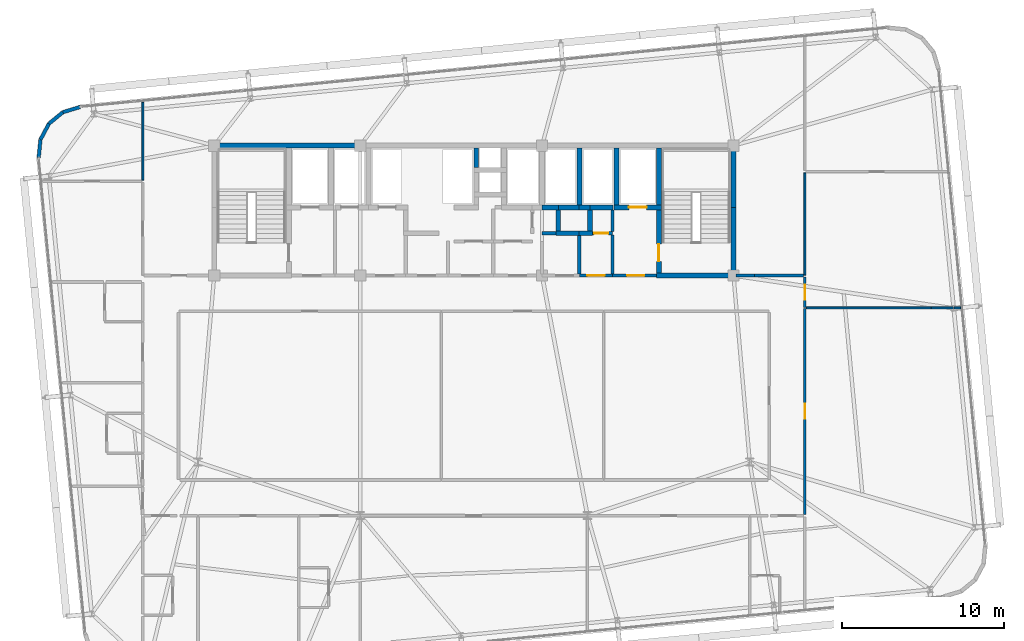
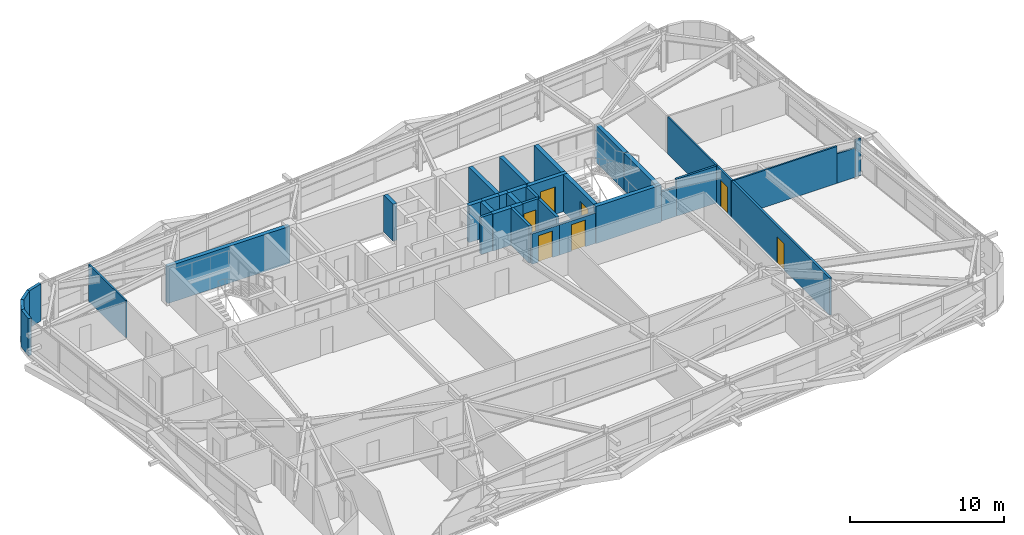
# One storey, part 49 of 53: 38 walls, 7 doors, 7 openings.
"""IFC4 building model written with IfcOpenShell, lengths in metres."""

from ifc_helpers import new_model, si_unit, direction, frame, frame_2d, origin, place, context, subcontext, project, spatial, rectangle, extrude, source, transform, mapped, material, layer, layer_set, type_object, element, fill, save


model = new_model("IFC4")

# Units and contexts
model_context = context("Model", 3, precision=1e-05, world=origin(), true_north=direction((0.0, 1.0)))
body_context = subcontext(model_context, "Body", "Model", "MODEL_VIEW")
ifc_project = project(units=[si_unit("LENGTHUNIT", "METRE"), si_unit("AREAUNIT", "SQUARE_METRE"), si_unit("VOLUMEUNIT", "CUBIC_METRE"), si_unit("PLANEANGLEUNIT", "RADIAN"), si_unit("MASSUNIT", "GRAM", prefix="KILO")], contexts=[model_context])

# Site, building, storey
site_placement = place(None, origin())
site = spatial("IfcSite", under=ifc_project, at=site_placement, CompositionType="ELEMENT")
building_placement = place(site_placement, origin())
building = spatial("IfcBuilding", under=site, at=building_placement, Name="Taldren Reach Tower", CompositionType="ELEMENT")
storey_placement = place(building_placement, frame((0.0, 0.0, 80.85009765625)))
storey = spatial("IfcBuildingStorey", under=building, at=storey_placement, Name="L24", CompositionType="ELEMENT", Elevation=80.85009765625)

# Walls
ifc_material_1 = material(Name="Pale Champagne Anodised Aluminium Cladding", Category="aluminium")
ifc_layer_1 = layer(ifc_material_1, 0.04, Name="Pale Champagne Anodised Aluminium Cladding", Category="aluminium")
ifc_material_2 = material(Name="Mineral Wool Acoustic Insulation", Category="insulation")
ifc_layer_2 = layer(ifc_material_2, 0.06, Name="Mineral Wool Acoustic Insulation", Category="insulation")
ifc_material_3 = material(Name="Steel Gr 350 (C350L0)", Category="steel")
ifc_layer_3 = layer(ifc_material_3, 0.12, Name="Steel Gr 350 (C350L0)", Category="steel")
ifc_layer_set_1 = layer_set([ifc_layer_1, ifc_layer_2, ifc_layer_3], Name="Pale Champagne Aluminium Cladding and Steel Gr 350 Stud Framing")
wall_type_1 = type_object("IfcWallType", Name="EW-CRN-220", PredefinedType="SOLIDWALL", material=ifc_layer_set_1)
shared_shape_1 = source(origin(), body_context, "Body", "SweptSolid", [
    extrude(rectangle(XDim=1.115966796875, YDim=0.219970703125, at=frame_2d((0.55810546875, 0.0))), origin(), (0.0, 0.0, 1.0), 2.929931640625),
])
wall_1_placement = place(storey_placement, frame((10.7509765625, 34.386474609375, 0.0), z_axis=(0.0, 0.0, 1.0), x_axis=(-0.957070388811, -0.289855603468, 0.0)))
element("IfcWall", 1, at=wall_1_placement, inside=storey, type_object=wall_type_1, Name="Rounded-corner pale-metal facade wall L24-NW1", PredefinedType="SOLIDWALL", context=body_context, shape_type="MappedRepresentation", body=[
    mapped(shared_shape_1, transform((0.0, 0.0, 0.0), scale=1.0)),
])
shared_shape_2 = source(origin(), body_context, "Body", "SweptSolid", [
    extrude(rectangle(XDim=1.11572265625, YDim=0.219970703125, at=frame_2d((0.557861328125, 0.0))), origin(), (0.0, 0.0, 1.0), 2.929931640625),
])
for number, where, z_axis, x_axis, name in (
    (2, (9.682861328125, 34.06298828125, 0.0), (0.0, 0.0, 1.0), (-0.773254916409, -0.634095287989, 0.0), "Rounded-corner pale-metal facade wall L24-NW2"),
    (3, (8.29345703125, 32.371337890625, 0.0), (0.0, 0.0, 1.0), (-0.098463783145, -0.99514063499, 0.0), "Rounded-corner pale-metal facade wall L24-NW4"),
):
    element("IfcWall", number, at=place(storey_placement, frame(where, z_axis=z_axis, x_axis=x_axis)), inside=storey, type_object=wall_type_1, Name=name, PredefinedType="SOLIDWALL", context=body_context, shape_type="MappedRepresentation", body=[
        mapped(shared_shape_2, transform((0.0, 0.0, 0.0), scale=1.0)),
    ])
shared_shape_3 = source(origin(), body_context, "Body", "SweptSolid", [
    extrude(rectangle(XDim=1.1162109375, YDim=0.219970703125, at=frame_2d((0.55810546875, 0.0))), origin(), (0.0, 0.0, 1.0), 2.929931640625),
])
wall_2_placement = place(storey_placement, frame((8.820068359375, 33.35546875, 0.0), z_axis=(0.0, 0.0, 1.0), x_axis=(-0.471802540493, -0.881704237704, 0.0)))
element("IfcWall", 4, at=wall_2_placement, inside=storey, type_object=wall_type_1, Name="Rounded-corner pale-metal facade wall L24-NW3", PredefinedType="SOLIDWALL", context=body_context, shape_type="MappedRepresentation", body=[
    mapped(shared_shape_3, transform((0.0, 0.0, 0.0), scale=1.0)),
])

# Wall, opening, door
ifc_material_4 = material(Name="Fire-Rated Acoustic Plasterboard Stud Wall", Category="gypsum")
ifc_layer_4 = layer(ifc_material_4, 0.159912109375)
ifc_layer_set_2 = layer_set([ifc_layer_4], Name="Fire-Rated Acoustic Plasterboard Stud Wall")
wall_type_2 = type_object("IfcWallType", Name="IW-FIRE-160", PredefinedType="PARTITIONING", material=ifc_layer_set_2)
shared_shape_4 = source(origin(), body_context, "Body", "SweptSolid", [
    extrude(rectangle(XDim=1.899658203125, YDim=0.159912109375, at=frame_2d((0.94970703125, 0.0))), origin(), (0.0, 0.0, 1.0), 2.929931640625),
])
wall_3_placement = place(storey_placement, frame((55.39990234375, 23.919921875, 0.0), z_axis=(0.0, 0.0, 1.0), x_axis=(0.0, -1.0, 0.0)))
wall_3 = element("IfcWall", 5, at=wall_3_placement, inside=storey, type_object=wall_type_2, Name="Interior Partition Wall W-INT-L24-074", PredefinedType="PARTITIONING", context=body_context, shape_type="MappedRepresentation", body=[
    mapped(shared_shape_4, transform((0.0, 0.0, 0.0), scale=1.0)),
])
shared_shape_5 = source(origin(), body_context, "Body", "SweptSolid", [
    extrude(rectangle(XDim=0.919921875, YDim=2.10009765625, at=frame_2d((0.4599609375, 1.050048828125))), frame((0.0, 0.08984375, 0.0), z_axis=(0.0, -1.0, 0.0), x_axis=(1.0, 0.0, 0.0)), (0.0, 0.0, 1.0), 0.179931640625),
])
opening_1_placement = place(wall_3_placement, frame((0.489990234375, 0.0, 0.0)))
opening_1 = element("IfcOpeningElement", 6, at=opening_1_placement, cuts=wall_3, Name="Opening DI-092", PredefinedType="OPENING", context=body_context, shape_type="MappedRepresentation", body=[
    mapped(shared_shape_5, transform((0.0, 0.0, 0.0), scale=1.0)),
])
ifc_material_5 = material(Name="Solid-Core Timber Suite Door", Category="wood")
door_type_1 = type_object("IfcDoorType", Name="ID-INT-092", OperationType="NOTDEFINED", PredefinedType="DOOR", material=ifc_material_5)
shared_shape_6 = source(origin(), body_context, "Body", "SweptSolid", [
    extrude(rectangle(XDim=0.919921875, YDim=2.10009765625, at=frame_2d((0.4599609375, 1.050048828125))), frame((0.0, 0.02490234375, 0.0), z_axis=(0.0, -1.0, 0.0), x_axis=(1.0, 0.0, 0.0)), (0.0, 0.0, 1.0), 0.050048828125),
])
door_1_placement = place(opening_1_placement, origin())
door_1 = element("IfcDoor", 7, at=door_1_placement, inside=storey, type_object=door_type_1, Name="Interior Door DR-L24-023", OperationType="SINGLE_SWING_RIGHT", OverallHeight=2.10009765625, OverallWidth=0.919921875, PredefinedType="DOOR", context=body_context, shape_type="MappedRepresentation", body=[
    mapped(shared_shape_6, transform((0.0, 0.0, 0.0), scale=1.0)),
])
fill(opening_1, door_1)

# Wall
ifc_material_6 = material(Name="Concrete S50 (50 MPa)", Category="concrete")
ifc_layer_5 = layer(ifc_material_6, 0.199951171875)
ifc_layer_set_3 = layer_set([ifc_layer_5], Name="Concrete S50 (50 MPa)")
wall_type_3 = type_object("IfcWallType", Name="IW-CORE-200", PredefinedType="SOLIDWALL", material=ifc_layer_set_3)
shared_shape_7 = source(origin(), body_context, "Body", "SweptSolid", [
    extrude(rectangle(XDim=2.39990234375, YDim=0.199951171875, at=frame_2d((1.199951171875, 0.0))), origin(), (0.0, 0.0, 1.0), 2.929931640625),
])
wall_4_placement = place(storey_placement, frame((43.550048828125, 26.5, 0.0), z_axis=(0.0, 0.0, 1.0), x_axis=(0.0, -1.0, 0.0)))
element("IfcWall", 8, at=wall_4_placement, inside=storey, type_object=wall_type_3, Name="Rear Core Shear Wall W-INT-L24-013", PredefinedType="SOLIDWALL", context=body_context, shape_type="MappedRepresentation", body=[
    mapped(shared_shape_7, transform((0.0, 0.0, 0.0), scale=1.0)),
])

# Wall, opening, door
shared_shape_8 = source(origin(), body_context, "Body", "SweptSolid", [
    extrude(rectangle(XDim=1.25, YDim=0.199951171875, at=frame_2d((0.625, 0.0))), origin(), (0.0, 0.0, 1.0), 2.929931640625),
])
wall_5_placement = place(storey_placement, frame((42.300048828125, 26.60009765625, 0.0), z_axis=(0.0, 0.0, 1.0), x_axis=(1.0, 0.0, 0.0)))
wall_5 = element("IfcWall", 9, at=wall_5_placement, inside=storey, type_object=wall_type_3, Name="Rear Core Shear Wall W-INT-L24-058", PredefinedType="SOLIDWALL", context=body_context, shape_type="MappedRepresentation", body=[
    mapped(shared_shape_8, transform((0.0, 0.0, 0.0), scale=1.0)),
])
shared_shape_9 = source(origin(), body_context, "Body", "SweptSolid", [
    extrude(rectangle(XDim=0.8798828125, YDim=2.10009765625, at=frame_2d((0.43994140625, 1.050048828125))), frame((0.0, 0.10986328125, 0.0), z_axis=(0.0, -1.0, 0.0), x_axis=(1.0, 0.0, 0.0)), (0.0, 0.0, 1.0), 0.219970703125),
])
opening_2_placement = place(wall_5_placement, frame((0.110107421875, 0.0, 0.0)))
opening_2 = element("IfcOpeningElement", 10, at=opening_2_placement, cuts=wall_5, Name="Opening DF-088", PredefinedType="OPENING", context=body_context, shape_type="MappedRepresentation", body=[
    mapped(shared_shape_9, transform((0.0, 0.0, 0.0), scale=1.0)),
])
ifc_material_7 = material(Name="Fire-Rated Service Closet Door")
door_type_2 = type_object("IfcDoorType", Name="ID-FIRE-088", OperationType="NOTDEFINED", PredefinedType="DOOR", material=ifc_material_7)
shared_shape_10 = source(origin(), body_context, "Body", "SweptSolid", [
    extrude(rectangle(XDim=0.8798828125, YDim=2.10009765625, at=frame_2d((0.43994140625, 1.050048828125))), frame((0.0, 0.02490234375, 0.0), z_axis=(0.0, -1.0, 0.0), x_axis=(1.0, 0.0, 0.0)), (0.0, 0.0, 1.0), 0.050048828125),
])
door_2_placement = place(opening_2_placement, origin())
door_2 = element("IfcDoor", 11, at=door_2_placement, inside=storey, type_object=door_type_2, Name="Interior Door DR-L24-012", OperationType="SINGLE_SWING_LEFT", OverallHeight=2.10009765625, OverallWidth=0.8798828125, PredefinedType="DOOR", context=body_context, shape_type="MappedRepresentation", body=[
    mapped(shared_shape_10, transform((0.0, 0.0, 0.0), scale=1.0)),
])
fill(opening_2, door_2)

shared_shape_11 = source(origin(), body_context, "Body", "SweptSolid", [
    extrude(rectangle(XDim=2.050048828125, YDim=0.199951171875, at=frame_2d((1.02490234375, 0.0))), origin(), (0.0, 0.0, 1.0), 2.39697265625),
])
wall_6_placement = place(storey_placement, frame((43.550048828125, 24.0, 0.0), z_axis=(0.0, 0.0, 1.0), x_axis=(-1.0, 0.0, 0.0)))
wall_6 = element("IfcWall", 12, at=wall_6_placement, inside=storey, type_object=wall_type_3, Name="Rear Core Shear Wall W-INT-L24-059", PredefinedType="SOLIDWALL", context=body_context, shape_type="MappedRepresentation", body=[
    mapped(shared_shape_11, transform((0.0, 0.0, 0.0), scale=1.0)),
])
shared_shape_12 = source(origin(), body_context, "Body", "SweptSolid", [
    extrude(rectangle(XDim=1.050048828125, YDim=2.10009765625, at=frame_2d((0.52490234375, 1.050048828125))), frame((0.0, 0.10986328125, 0.0), z_axis=(0.0, -1.0, 0.0), x_axis=(1.0, 0.0, 0.0)), (0.0, 0.0, 1.0), 0.219970703125),
])
opening_3_placement = place(wall_6_placement, frame((0.5, 0.0, 0.0)))
opening_3 = element("IfcOpeningElement", 13, at=opening_3_placement, cuts=wall_6, Name="Opening DF-105", PredefinedType="OPENING", context=body_context, shape_type="MappedRepresentation", body=[
    mapped(shared_shape_12, transform((0.0, 0.0, 0.0), scale=1.0)),
])
ifc_material_8 = material(Name="Fire-Rated Care and Stair Exit Door")
door_type_3 = type_object("IfcDoorType", Name="ID-FIRE-105", OperationType="NOTDEFINED", PredefinedType="DOOR", material=ifc_material_8)
shared_shape_13 = source(origin(), body_context, "Body", "SweptSolid", [
    extrude(rectangle(XDim=1.050048828125, YDim=2.10009765625, at=frame_2d((0.52490234375, 1.050048828125))), frame((0.0, 0.02490234375, 0.0), z_axis=(0.0, -1.0, 0.0), x_axis=(1.0, 0.0, 0.0)), (0.0, 0.0, 1.0), 0.050048828125),
])
door_3_placement = place(opening_3_placement, frame((1.050048828125, 0.0, 0.0), z_axis=(0.0, 0.0, 1.0), x_axis=(-1.0, 0.0, 0.0)))
door_3 = element("IfcDoor", 14, at=door_3_placement, inside=storey, type_object=door_type_3, Name="Interior Door DR-L24-013", OperationType="SINGLE_SWING_LEFT", OverallHeight=2.10009765625, OverallWidth=1.050048828125, PredefinedType="DOOR", context=body_context, shape_type="MappedRepresentation", body=[
    mapped(shared_shape_13, transform((0.0, 0.0, 0.0), scale=1.0)),
])
fill(opening_3, door_3)

# Walls
ifc_material_9 = material(Name="Concrete S65 (65 MPa)", Category="concrete")
ifc_layer_6 = layer(ifc_material_9, 0.300048828125)
ifc_layer_set_4 = layer_set([ifc_layer_6], Name="Concrete S65 (65 MPa)")
wall_type_4 = type_object("IfcWallType", Name="IW-CORE-300", PredefinedType="SHEAR", material=ifc_layer_set_4)
shared_shape_14 = source(origin(), body_context, "Body", "SweptSolid", [
    extrude(rectangle(XDim=9.14990234375, YDim=0.300048828125, at=frame_2d((4.574951171875, 0.0))), origin(), (0.0, 0.0, 1.0), 2.929931640625),
])
wall_7_placement = place(storey_placement, frame((18.85009765625, 32.0, 0.0), z_axis=(0.0, 0.0, 1.0), x_axis=(1.0, 0.0, 0.0)))
element("IfcWall", 15, at=wall_7_placement, inside=storey, type_object=wall_type_4, Name="Rear Core Shear Wall W-CORE-L24-NORTH1", PredefinedType="SHEAR", context=body_context, shape_type="MappedRepresentation", body=[
    mapped(shared_shape_14, transform((0.0, 0.0, 0.0), scale=1.0)),
])
shared_shape_15 = source(origin(), body_context, "Body", "SweptSolid", [
    extrude(rectangle(XDim=4.050048828125, YDim=0.300048828125, at=frame_2d((2.02490234375, 0.0))), origin(), (0.0, 0.0, 1.0), 2.929931640625),
])
wall_8_placement = place(storey_placement, frame((51.0, 24.14990234375, 0.0), z_axis=(0.0, 0.0, 1.0), x_axis=(0.0, 1.0, 0.0)))
element("IfcWall", 16, at=wall_8_placement, inside=storey, type_object=wall_type_4, Name="Rear Core Shear Wall W-CORE-L24-EAST1", PredefinedType="SHEAR", context=body_context, shape_type="MappedRepresentation", body=[
    mapped(shared_shape_15, transform((0.0, 0.0, 0.0), scale=1.0)),
])
shared_shape_16 = source(origin(), body_context, "Body", "SweptSolid", [
    extrude(rectangle(XDim=3.650146484375, YDim=0.300048828125, at=frame_2d((1.8251953125, 0.0))), origin(), (0.0, 0.0, 1.0), 2.929931640625),
])
wall_9_placement = place(storey_placement, frame((51.0, 28.199951171875, 0.0), z_axis=(0.0, 0.0, 1.0), x_axis=(0.0, 1.0, 0.0)))
element("IfcWall", 17, at=wall_9_placement, inside=storey, type_object=wall_type_4, Name="Rear Core Shear Wall W-CORE-L24-EAST2", PredefinedType="SHEAR", context=body_context, shape_type="MappedRepresentation", body=[
    mapped(shared_shape_16, transform((0.0, 0.0, 0.0), scale=1.0)),
])
shared_shape_17 = source(origin(), body_context, "Body", "SweptSolid", [
    extrude(rectangle(XDim=3.5, YDim=0.300048828125, at=frame_2d((1.75, 0.0))), origin(), (0.0, 0.0, 1.0), 2.929931640625),
])
for number, where, z_axis, x_axis, name in (
    (18, (46.39990234375, 31.85009765625, 0.0), (0.0, 0.0, 1.0), (0.0, -1.0, 0.0), "Rear Core Shear Wall W-INT-L24-008"),
    (19, (43.800048828125, 31.85009765625, 0.0), (0.0, 0.0, 1.0), (0.0, -1.0, 0.0), "Rear Core Shear Wall W-INT-L24-012"),
    (20, (41.5, 28.35009765625, 0.0), (0.0, 0.0, 1.0), (0.0, 1.0, 0.0), "Rear Core Shear Wall W-INT-L24-041"),
):
    element("IfcWall", number, at=place(storey_placement, frame(where, z_axis=z_axis, x_axis=x_axis)), inside=storey, type_object=wall_type_4, Name=name, PredefinedType="SHEAR", context=body_context, shape_type="MappedRepresentation", body=[
        mapped(shared_shape_17, transform((0.0, 0.0, 0.0), scale=1.0)),
    ])

# Wall, opening, door
shared_shape_18 = source(origin(), body_context, "Body", "SweptSolid", [
    extrude(rectangle(XDim=3.900146484375, YDim=0.300048828125, at=frame_2d((1.9501953125, 0.0))), origin(), (0.0, 0.0, 1.0), 2.929931640625),
])
wall_10_placement = place(storey_placement, frame((46.39990234375, 28.050048828125, 0.0), z_axis=(0.0, 0.0, 1.0), x_axis=(0.0, -1.0, 0.0)))
wall_10 = element("IfcWall", 21, at=wall_10_placement, inside=storey, type_object=wall_type_4, Name="Rear Core Shear Wall W-INT-L24-009", PredefinedType="SHEAR", context=body_context, shape_type="MappedRepresentation", body=[
    mapped(shared_shape_18, transform((0.0, 0.0, 0.0), scale=1.0)),
])
shared_shape_19 = source(origin(), body_context, "Body", "SweptSolid", [
    extrude(rectangle(XDim=1.050048828125, YDim=2.10009765625, at=frame_2d((0.52490234375, 1.050048828125))), frame((0.0, 0.16015625, 0.0), z_axis=(0.0, -1.0, 0.0), x_axis=(1.0, 0.0, 0.0)), (0.0, 0.0, 1.0), 0.320068359375),
])
opening_4_placement = place(wall_10_placement, frame((2.125, 0.0, 0.0)))
opening_4 = element("IfcOpeningElement", 22, at=opening_4_placement, cuts=wall_10, Name="Opening DF-105", PredefinedType="OPENING", context=body_context, shape_type="MappedRepresentation", body=[
    mapped(shared_shape_19, transform((0.0, 0.0, 0.0), scale=1.0)),
])
door_4_placement = place(opening_4_placement, origin())
door_4 = element("IfcDoor", 23, at=door_4_placement, inside=storey, type_object=door_type_3, Name="Fire Exit Stair Door DR-L24-003", OperationType="SINGLE_SWING_RIGHT", OverallHeight=2.10009765625, OverallWidth=1.050048828125, PredefinedType="DOOR", context=body_context, shape_type="MappedRepresentation", body=[
    mapped(shared_shape_13, transform((0.0, 0.0, 0.0), scale=1.0)),
])
fill(opening_4, door_4)

# Wall
shared_shape_20 = source(origin(), body_context, "Body", "SweptSolid", [
    extrude(rectangle(XDim=4.89990234375, YDim=0.300048828125, at=frame_2d((2.449951171875, 0.0))), origin(), (0.0, 0.0, 1.0), 2.929931640625),
])
wall_11_placement = place(storey_placement, frame((46.25, 24.0, 0.0), z_axis=(0.0, 0.0, 1.0), x_axis=(1.0, 0.0, 0.0)))
element("IfcWall", 24, at=wall_11_placement, inside=storey, type_object=wall_type_4, Name="Rear Core Shear Wall W-INT-L24-010", PredefinedType="SHEAR", context=body_context, shape_type="MappedRepresentation", body=[
    mapped(shared_shape_20, transform((0.0, 0.0, 0.0), scale=1.0)),
])

# Wall, opening, door
shared_shape_21 = source(origin(), body_context, "Body", "SweptSolid", [
    extrude(rectangle(XDim=2.900146484375, YDim=0.300048828125, at=frame_2d((1.4501953125, 0.0))), origin(), (0.0, 0.0, 1.0), 2.929931640625),
])
wall_12_placement = place(storey_placement, frame((43.64990234375, 28.199951171875, 0.0), z_axis=(0.0, 0.0, 1.0), x_axis=(1.0, 0.0, 0.0)))
wall_12 = element("IfcWall", 25, at=wall_12_placement, inside=storey, type_object=wall_type_4, Name="Rear Core Shear Wall W-INT-L24-011", PredefinedType="SHEAR", context=body_context, shape_type="MappedRepresentation", body=[
    mapped(shared_shape_21, transform((0.0, 0.0, 0.0), scale=1.0)),
])
shared_shape_22 = source(origin(), body_context, "Body", "SweptSolid", [
    extrude(rectangle(XDim=1.10009765625, YDim=2.14990234375, at=frame_2d((0.550048828125, 1.074951171875))), frame((0.0, 0.16015625, 0.0), z_axis=(0.0, -1.0, 0.0), x_axis=(1.0, 0.0, 0.0)), (0.0, 0.0, 1.0), 0.320068359375),
])
opening_5_placement = place(wall_12_placement, frame((0.89990234375, 0.0, 0.0)))
opening_5 = element("IfcOpeningElement", 26, at=opening_5_placement, cuts=wall_12, Name="Opening LD-FL2", PredefinedType="OPENING", context=body_context, shape_type="MappedRepresentation", body=[
    mapped(shared_shape_22, transform((0.0, 0.0, 0.0), scale=1.0)),
])
ifc_material_10 = material(Name="Stainless Steel Gr 316 Emergency Lift Landing Door", Category="steel")
door_type_4 = type_object("IfcDoorType", Name="LD-EMG-110", OperationType="SLIDING_TO_LEFT", PredefinedType="DOOR", material=ifc_material_10)
shared_shape_23 = source(origin(), body_context, "Body", "SweptSolid", [
    extrude(rectangle(XDim=1.10009765625, YDim=2.14990234375, at=frame_2d((0.550048828125, 1.074951171875))), frame((0.0, 0.02490234375, 0.0), z_axis=(0.0, -1.0, 0.0), x_axis=(1.0, 0.0, 0.0)), (0.0, 0.0, 1.0), 0.050048828125),
])
door_5_placement = place(opening_5_placement, origin())
door_5 = element("IfcDoor", 27, at=door_5_placement, inside=storey, type_object=door_type_4, Name="Lift Landing Door LD-FL2-L24", OperationType="SLIDING_TO_LEFT", OverallHeight=2.14990234375, OverallWidth=1.10009765625, PredefinedType="DOOR", context=body_context, shape_type="MappedRepresentation", body=[
    mapped(shared_shape_23, transform((0.0, 0.0, 0.0), scale=1.0)),
])
fill(opening_5, door_5)

# Wall
shared_shape_24 = source(origin(), body_context, "Body", "SweptSolid", [
    extrude(rectangle(XDim=1.35009765625, YDim=0.199951171875, at=frame_2d((0.675048828125, 0.0))), origin(), (0.0, 0.0, 1.0), 2.929931640625),
])
wall_13_placement = place(storey_placement, frame((43.550048828125, 28.050048828125, 0.0), z_axis=(0.0, 0.0, 1.0), x_axis=(0.0, -1.0, 0.0)))
element("IfcWall", 28, at=wall_13_placement, inside=storey, type_object=wall_type_3, Name="Rear Core Shear Wall W-INT-L24-014", PredefinedType="SOLIDWALL", context=body_context, shape_type="MappedRepresentation", body=[
    mapped(shared_shape_24, transform((0.0, 0.0, 0.0), scale=1.0)),
])

# Wall, opening, door
shared_shape_25 = source(origin(), body_context, "Body", "SweptSolid", [
    extrude(rectangle(XDim=2.699951171875, YDim=0.199951171875, at=frame_2d((1.35009765625, 0.0))), origin(), (0.0, 0.0, 1.0), 2.39697265625),
])
wall_14_placement = place(storey_placement, frame((43.550048828125, 24.0, 0.0), z_axis=(0.0, 0.0, 1.0), x_axis=(1.0, 0.0, 0.0)))
wall_14 = element("IfcWall", 29, at=wall_14_placement, inside=storey, type_object=wall_type_3, Name="Rear Core Shear Wall W-INT-L24-015", PredefinedType="SOLIDWALL", context=body_context, shape_type="MappedRepresentation", body=[
    mapped(shared_shape_25, transform((0.0, 0.0, 0.0), scale=1.0)),
])
opening_6_placement = place(wall_14_placement, frame((0.89990234375, 0.0, 0.0)))
opening_6 = element("IfcOpeningElement", 30, at=opening_6_placement, cuts=wall_14, Name="Opening DF-105", PredefinedType="OPENING", context=body_context, shape_type="MappedRepresentation", body=[
    mapped(shared_shape_12, transform((0.0, 0.0, 0.0), scale=1.0)),
])
door_6_placement = place(opening_6_placement, origin())
door_6 = element("IfcDoor", 31, at=door_6_placement, inside=storey, type_object=door_type_3, Name="Interior Door DR-L24-004", OperationType="SINGLE_SWING_LEFT", OverallHeight=2.10009765625, OverallWidth=1.050048828125, PredefinedType="DOOR", context=body_context, shape_type="MappedRepresentation", body=[
    mapped(shared_shape_13, transform((0.0, 0.0, 0.0), scale=1.0)),
])
fill(opening_6, door_6)

# Walls
shared_shape_26 = source(origin(), body_context, "Body", "SweptSolid", [
    extrude(rectangle(XDim=1.2001953125, YDim=0.300048828125, at=frame_2d((0.60009765625, 0.0))), origin(), (0.0, 0.0, 1.0), 2.929931640625),
])
wall_15_placement = place(storey_placement, frame((35.14990234375, 31.85009765625, 0.0), z_axis=(0.0, 0.0, 1.0), x_axis=(0.0, -1.0, 0.0)))
element("IfcWall", 32, at=wall_15_placement, inside=storey, type_object=wall_type_4, Name="Rear Core Shear Wall W-INT-L24-017", PredefinedType="SHEAR", context=body_context, shape_type="MappedRepresentation", body=[
    mapped(shared_shape_26, transform((0.0, 0.0, 0.0), scale=1.0)),
])
shared_shape_27 = source(origin(), body_context, "Body", "SweptSolid", [
    extrude(rectangle(XDim=1.300048828125, YDim=0.300048828125, at=frame_2d((0.64990234375, 0.0))), origin(), (0.0, 0.0, 1.0), 2.929931640625),
])
for number, where, z_axis, x_axis, name in (
    (33, (40.199951171875, 28.050048828125, 0.0), (0.0, 0.0, 1.0), (0.0, -1.0, 0.0), "Rear Core Shear Wall W-INT-L24-027"),
    (34, (42.14990234375, 26.75, 0.0), (0.0, 0.0, 1.0), (0.0, 1.0, 0.0), "Rear Core Shear Wall W-INT-L24-029"),
):
    element("IfcWall", number, at=place(storey_placement, frame(where, z_axis=z_axis, x_axis=x_axis)), inside=storey, type_object=wall_type_4, Name=name, PredefinedType="SHEAR", context=body_context, shape_type="MappedRepresentation", body=[
        mapped(shared_shape_27, transform((0.0, 0.0, 0.0), scale=1.0)),
    ])
shared_shape_28 = source(origin(), body_context, "Body", "SweptSolid", [
    extrude(rectangle(XDim=1.320068359375, YDim=0.300048828125, at=frame_2d((0.66015625, 0.0))), origin(), (0.0, 0.0, 1.0), 2.929931640625),
])
wall_16_placement = place(storey_placement, frame((41.52001953125, 28.199951171875, 0.0), z_axis=(0.0, 0.0, 1.0), x_axis=(-1.0, 0.0, 0.0)))
element("IfcWall", 35, at=wall_16_placement, inside=storey, type_object=wall_type_4, Name="Rear Core Shear Wall W-INT-L24-024", PredefinedType="SHEAR", context=body_context, shape_type="MappedRepresentation", body=[
    mapped(shared_shape_28, transform((0.0, 0.0, 0.0), scale=1.0)),
])
shared_shape_29 = source(origin(), body_context, "Body", "SweptSolid", [
    extrude(rectangle(XDim=0.669921875, YDim=0.300048828125, at=frame_2d((0.3349609375, 0.0))), origin(), (0.0, 0.0, 1.0), 2.929931640625),
])
wall_17_placement = place(storey_placement, frame((42.14990234375, 28.199951171875, 0.0), z_axis=(0.0, 0.0, 1.0), x_axis=(-1.0, 0.0, 0.0)))
element("IfcWall", 36, at=wall_17_placement, inside=storey, type_object=wall_type_4, Name="Rear Core Shear Wall W-INT-L24-025", PredefinedType="SHEAR", context=body_context, shape_type="MappedRepresentation", body=[
    mapped(shared_shape_29, transform((0.0, 0.0, 0.0), scale=1.0)),
])
shared_shape_30 = source(origin(), body_context, "Body", "SweptSolid", [
    extrude(rectangle(XDim=1.469970703125, YDim=0.300048828125, at=frame_2d((0.73486328125, 0.0))), origin(), (0.0, 0.0, 1.0), 2.929931640625),
])
wall_18_placement = place(storey_placement, frame((40.050048828125, 26.60009765625, 0.0), z_axis=(0.0, 0.0, 1.0), x_axis=(1.0, 0.0, 0.0)))
element("IfcWall", 37, at=wall_18_placement, inside=storey, type_object=wall_type_4, Name="Rear Core Shear Wall W-INT-L24-026", PredefinedType="SHEAR", context=body_context, shape_type="MappedRepresentation", body=[
    mapped(shared_shape_30, transform((0.0, 0.0, 0.0), scale=1.0)),
])
shared_shape_31 = source(origin(), body_context, "Body", "SweptSolid", [
    extrude(rectangle(XDim=0.820068359375, YDim=0.300048828125, at=frame_2d((0.41015625, 0.0))), origin(), (0.0, 0.0, 1.0), 2.929931640625),
])
wall_19_placement = place(storey_placement, frame((41.47998046875, 26.60009765625, 0.0), z_axis=(0.0, 0.0, 1.0), x_axis=(1.0, 0.0, 0.0)))
element("IfcWall", 38, at=wall_19_placement, inside=storey, type_object=wall_type_4, Name="Rear Core Shear Wall W-INT-L24-028", PredefinedType="SHEAR", context=body_context, shape_type="MappedRepresentation", body=[
    mapped(shared_shape_31, transform((0.0, 0.0, 0.0), scale=1.0)),
])
shared_shape_32 = source(origin(), body_context, "Body", "SweptSolid", [
    extrude(rectangle(XDim=2.349853515625, YDim=0.199951171875, at=frame_2d((1.1748046875, 0.0))), origin(), (0.0, 0.0, 1.0), 2.929931640625),
])
wall_20_placement = place(storey_placement, frame((41.5, 26.449951171875, 0.0), z_axis=(0.0, 0.0, 1.0), x_axis=(0.0, -1.0, 0.0)))
element("IfcWall", 39, at=wall_20_placement, inside=storey, type_object=wall_type_3, Name="Rear Core Shear Wall W-INT-L24-056", PredefinedType="SOLIDWALL", context=body_context, shape_type="MappedRepresentation", body=[
    mapped(shared_shape_32, transform((0.0, 0.0, 0.0), scale=1.0)),
])
shared_shape_33 = source(origin(), body_context, "Body", "SweptSolid", [
    extrude(rectangle(XDim=1.02001953125, YDim=0.300048828125, at=frame_2d((0.510009765625, 0.0))), origin(), (0.0, 0.0, 1.0), 2.929931640625),
])
wall_21_placement = place(storey_placement, frame((39.199951171875, 28.199951171875, 0.0), z_axis=(0.0, 0.0, 1.0), x_axis=(1.0, 0.0, 0.0)))
element("IfcWall", 40, at=wall_21_placement, inside=storey, type_object=wall_type_4, Name="Rear Core Shear Wall W-INT-L24-042", PredefinedType="SHEAR", context=body_context, shape_type="MappedRepresentation", body=[
    mapped(shared_shape_33, transform((0.0, 0.0, 0.0), scale=1.0)),
])
shared_shape_34 = source(origin(), body_context, "Body", "SweptSolid", [
    extrude(rectangle(XDim=1.440185546875, YDim=0.300048828125, at=frame_2d((0.72021484375, 0.0))), origin(), (0.0, 0.0, 1.0), 2.929931640625),
])
wall_22_placement = place(storey_placement, frame((42.1298828125, 28.199951171875, 0.0), z_axis=(0.0, 0.0, 1.0), x_axis=(1.0, 0.0, 0.0)))
element("IfcWall", 41, at=wall_22_placement, inside=storey, type_object=wall_type_4, Name="Rear Core Shear Wall W-INT-L24-043", PredefinedType="SHEAR", context=body_context, shape_type="MappedRepresentation", body=[
    mapped(shared_shape_34, transform((0.0, 0.0, 0.0), scale=1.0)),
])
shared_shape_35 = source(origin(), body_context, "Body", "SweptSolid", [
    extrude(rectangle(XDim=0.85009765625, YDim=0.199951171875, at=frame_2d((0.425048828125, 0.0))), origin(), (0.0, 0.0, 1.0), 2.929931640625),
])
wall_23_placement = place(storey_placement, frame((39.199951171875, 26.60009765625, 0.0), z_axis=(0.0, 0.0, 1.0), x_axis=(1.0, 0.0, 0.0)))
element("IfcWall", 42, at=wall_23_placement, inside=storey, type_object=wall_type_3, Name="Rear Core Shear Wall W-INT-L24-055", PredefinedType="SOLIDWALL", context=body_context, shape_type="MappedRepresentation", body=[
    mapped(shared_shape_35, transform((0.0, 0.0, 0.0), scale=1.0)),
])
shared_shape_36 = source(origin(), body_context, "Body", "SweptSolid", [
    extrude(rectangle(XDim=1.154541015625, YDim=0.159912109375, at=frame_2d((0.5771484375, 0.0))), origin(), (0.0, 0.0, 1.0), 2.327880859375),
])
wall_24_placement = place(storey_placement, frame((51.14990234375, 24.0, 0.0), z_axis=(0.0, 0.0, 1.0), x_axis=(1.0, 0.0, 0.0)))
element("IfcWall", 43, at=wall_24_placement, inside=storey, type_object=wall_type_2, Name="Interior Partition Wall W-INT-L24-076", PredefinedType="PARTITIONING", context=body_context, shape_type="MappedRepresentation", body=[
    mapped(shared_shape_36, transform((0.0, 0.0, 0.0), scale=1.0)),
])
shared_shape_37 = source(origin(), body_context, "Body", "SweptSolid", [
    extrude(rectangle(XDim=3.015625, YDim=0.159912109375, at=frame_2d((1.5078125, 0.0))), origin(), (0.0, 0.0, 1.0), 2.929931640625),
])
wall_25_placement = place(storey_placement, frame((52.304443359375, 24.0, 0.0), z_axis=(0.0, 0.0, 1.0), x_axis=(1.0, 0.0, 0.0)))
element("IfcWall", 44, at=wall_25_placement, inside=storey, type_object=wall_type_2, Name="Interior Partition Wall W-INT-L24-076 part 2", PredefinedType="PARTITIONING", context=body_context, shape_type="MappedRepresentation", body=[
    mapped(shared_shape_37, transform((0.0, 0.0, 0.0), scale=1.0)),
])

# Wall, opening, door
shared_shape_38 = source(origin(), body_context, "Body", "SweptSolid", [
    extrude(rectangle(XDim=12.69970703125, YDim=0.159912109375, at=frame_2d((6.349853515625, 0.0))), origin(), (0.0, 0.0, 1.0), 2.929931640625),
])
wall_26_placement = place(storey_placement, frame((55.39990234375, 21.979736328125, 0.0), z_axis=(0.0, 0.0, 1.0), x_axis=(0.0, -1.0, 0.0)))
wall_26 = element("IfcWall", 45, at=wall_26_placement, inside=storey, type_object=wall_type_2, Name="Interior Partition Wall W-INT-L24-073", PredefinedType="PARTITIONING", context=body_context, shape_type="MappedRepresentation", body=[
    mapped(shared_shape_38, transform((0.0, 0.0, 0.0), scale=1.0)),
])
opening_7_placement = place(wall_26_placement, frame((5.889892578125, 0.0, 0.0)))
opening_7 = element("IfcOpeningElement", 46, at=opening_7_placement, cuts=wall_26, Name="Opening DI-092", PredefinedType="OPENING", context=body_context, shape_type="MappedRepresentation", body=[
    mapped(shared_shape_5, transform((0.0, 0.0, 0.0), scale=1.0)),
])
door_7_placement = place(opening_7_placement, origin())
door_7 = element("IfcDoor", 47, at=door_7_placement, inside=storey, type_object=door_type_1, Name="Interior Door DR-L24-022", OperationType="SINGLE_SWING_LEFT", OverallHeight=2.10009765625, OverallWidth=0.919921875, PredefinedType="DOOR", context=body_context, shape_type="MappedRepresentation", body=[
    mapped(shared_shape_6, transform((0.0, 0.0, 0.0), scale=1.0)),
])
fill(opening_7, door_7)

# Walls
ifc_material_11 = material(Name="Insulated Residential Stud Partition", Category="gypsum")
ifc_layer_7 = layer(ifc_material_11, 0.1201171875)
ifc_layer_set_5 = layer_set([ifc_layer_7], Name="Insulated Residential Stud Partition")
wall_type_5 = type_object("IfcWallType", Name="IW-PART-120", PredefinedType="PARTITIONING", material=ifc_layer_set_5)
shared_shape_39 = source(origin(), body_context, "Body", "SweptSolid", [
    extrude(rectangle(XDim=4.78564453125, YDim=0.1201171875, at=frame_2d((2.392822265625, 0.0))), origin(), (0.0, 0.0, 1.0), 2.929931640625),
])
wall_27_placement = place(storey_placement, frame((14.60009765625, 34.66552734375, 0.0), z_axis=(0.0, 0.0, 1.0), x_axis=(0.0, -1.0, 0.0)))
element("IfcWall", 48, at=wall_27_placement, inside=storey, type_object=wall_type_5, Name="Interior Partition Wall W-INT-L24-119", PredefinedType="PARTITIONING", context=body_context, shape_type="MappedRepresentation", body=[
    mapped(shared_shape_39, transform((0.0, 0.0, 0.0), scale=1.0)),
])
shared_shape_40 = source(origin(), body_context, "Body", "SweptSolid", [
    extrude(rectangle(XDim=7.708740234375, YDim=0.1201171875, at=frame_2d((3.8544921875, 0.0))), origin(), (0.0, 0.0, 1.0), 2.929931640625),
])
wall_28_placement = place(storey_placement, frame((55.48193359375, 22.0, 0.0), z_axis=(0.0, 0.0, 1.0), x_axis=(1.0, 0.0, 0.0)))
element("IfcWall", 49, at=wall_28_placement, inside=storey, type_object=wall_type_5, Name="Interior Partition Wall W-INT-L24-120", PredefinedType="PARTITIONING", context=body_context, shape_type="MappedRepresentation", body=[
    mapped(shared_shape_40, transform((0.0, 0.0, 0.0), scale=1.0)),
])
shared_shape_41 = source(origin(), body_context, "Body", "SweptSolid", [
    extrude(rectangle(XDim=1.392333984375, YDim=0.1201171875, at=frame_2d((0.6962890625, 0.0))), origin(), (0.0, 0.0, 1.0), 2.327880859375),
])
wall_29_placement = place(storey_placement, frame((63.190673828125, 22.0, 0.0), z_axis=(0.0, 0.0, 1.0), x_axis=(1.0, 0.0, 0.0)))
element("IfcWall", 50, at=wall_29_placement, inside=storey, type_object=wall_type_5, Name="Interior Partition Wall W-INT-L24-120 part 2", PredefinedType="PARTITIONING", context=body_context, shape_type="MappedRepresentation", body=[
    mapped(shared_shape_41, transform((0.0, 0.0, 0.0), scale=1.0)),
])
shared_shape_42 = source(origin(), body_context, "Body", "SweptSolid", [
    extrude(rectangle(XDim=0.411376953125, YDim=0.1201171875, at=frame_2d((0.20556640625, 0.0))), origin(), (0.0, 0.0, 1.0), 2.929931640625),
])
wall_30_placement = place(storey_placement, frame((64.5830078125, 22.0, 0.0), z_axis=(0.0, 0.0, 1.0), x_axis=(1.0, 0.0, 0.0)))
element("IfcWall", 51, at=wall_30_placement, inside=storey, type_object=wall_type_5, Name="Interior Partition Wall W-INT-L24-120 part 3", PredefinedType="PARTITIONING", context=body_context, shape_type="MappedRepresentation", body=[
    mapped(shared_shape_42, transform((0.0, 0.0, 0.0), scale=1.0)),
])
shared_shape_43 = source(origin(), body_context, "Body", "SweptSolid", [
    extrude(rectangle(XDim=6.2998046875, YDim=0.1201171875, at=frame_2d((3.14990234375, 0.0))), origin(), (0.0, 0.0, 1.0), 2.929931640625),
])
wall_31_placement = place(storey_placement, frame((55.39990234375, 24.020263671875, 0.0), z_axis=(0.0, 0.0, 1.0), x_axis=(0.0, 1.0, 0.0)))
element("IfcWall", 52, at=wall_31_placement, inside=storey, type_object=wall_type_5, Name="Interior Partition Wall W-INT-L24-122", PredefinedType="PARTITIONING", context=body_context, shape_type="MappedRepresentation", body=[
    mapped(shared_shape_43, transform((0.0, 0.0, 0.0), scale=1.0)),
])

save(model, "model.ifc")
